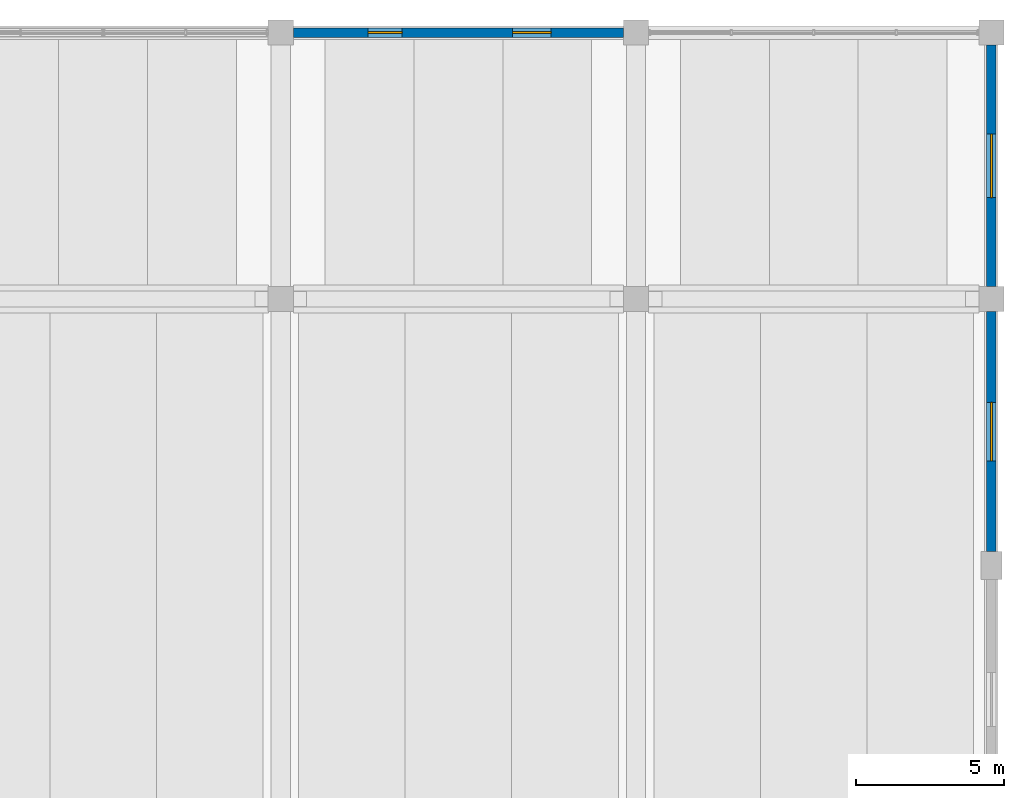
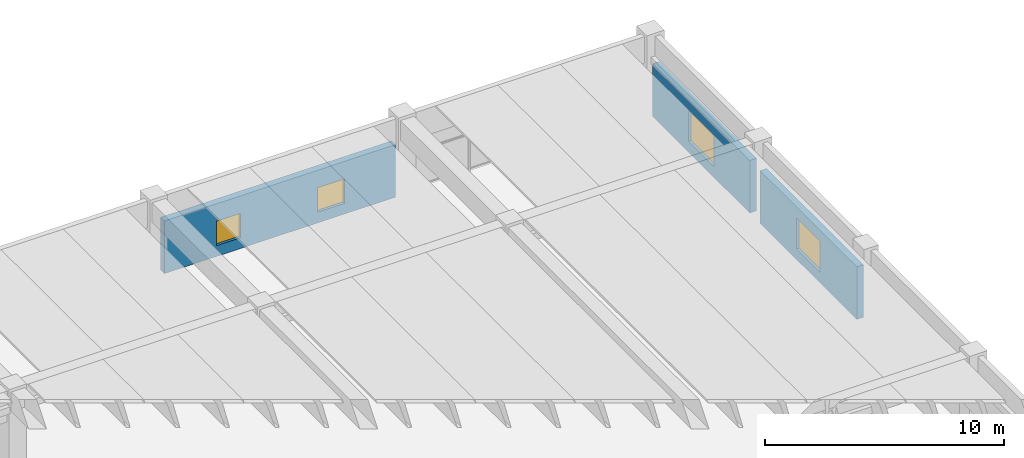
# One storey, part 40 of 50: 4 windows, 3 walls, 4 openings.
"""IFC4 building model written with IfcOpenShell, lengths in metres."""

from ifc_helpers import new_model, si_unit, direction, frame, frame_2d, origin, place, context, subcontext, project, spatial, rectangle, extrude, material, layer, layer_set, type_object, element, fill, save


model = new_model("IFC4")

# Units and contexts
model_context = context("Model", 3, precision=1e-05, world=origin(), true_north=direction((0.0, 1.0)))
body_context = subcontext(model_context, "Body", "Model", "MODEL_VIEW")
ifc_project = project(units=[si_unit("LENGTHUNIT", "METRE"), si_unit("AREAUNIT", "SQUARE_METRE"), si_unit("VOLUMEUNIT", "CUBIC_METRE"), si_unit("PLANEANGLEUNIT", "RADIAN"), si_unit("MASSUNIT", "GRAM", prefix="KILO")], contexts=[model_context])

# Site, building, storey
site_placement = place(None, origin())
site = spatial("IfcSite", under=ifc_project, at=site_placement, CompositionType="ELEMENT")
building_placement = place(site_placement, origin())
building = spatial("IfcBuilding", under=site, at=building_placement, Name="Girod Span Mobility Hub", CompositionType="ELEMENT")
storey_placement = place(building_placement, frame((0.0, 0.0, 5.39990234375)))
storey = spatial("IfcBuildingStorey", under=building, at=storey_placement, Name="L01", CompositionType="ELEMENT", Elevation=5.39990234375)

# Wall, openings, windows
ifc_material_1 = material(Name="Precast Architectural Concrete C40/50", Category="concrete")
ifc_layer = layer(ifc_material_1, 0.320068359375)
ifc_layer_set = layer_set([ifc_layer], Name="Precast Architectural Concrete C40/50")
wall_type = type_object("IfcWallType", Name="W-EXT-320", PredefinedType="SOLIDWALL", material=ifc_layer_set)
wall_1_placement = place(storey_placement, frame((144.423095703125, 114.0, 0.0), z_axis=(0.0, 0.0, 1.0), x_axis=(1.0, 0.0, 0.0)))
wall_1 = element("IfcWall", 1, at=wall_1_placement, inside=storey, type_object=wall_type, Name="Exterior Insulated Precast Wall N-13 L01", PredefinedType="SOLIDWALL", context=body_context, shape_type="SweptSolid", body=[
    extrude(rectangle(XDim=11.15380859375, YDim=0.320068359375, at=frame_2d((5.576904296875, 0.0))), origin(), (0.0, 0.0, 1.0), 2.690185546875),
])
opening_1_placement = place(wall_1_placement, frame((2.52490234375, 0.0, 0.550048828125)))
opening_1 = element("IfcOpeningElement", 2, at=opening_1_placement, cuts=wall_1, Name="Opening W-L01-N12A", PredefinedType="OPENING", context=body_context, shape_type="SweptSolid", body=[
    extrude(rectangle(XDim=1.14990234375, YDim=1.25, at=frame_2d((0.574951171875, 0.625))), frame((0.0, 0.175048828125, 0.0), z_axis=(0.0, -1.0, 0.0), x_axis=(1.0, 0.0, 0.0)), (0.0, 0.0, 1.0), 0.35009765625),
])
opening_2_placement = place(wall_1_placement, frame((7.404052734375, 0.0, 0.550048828125)))
opening_2 = element("IfcOpeningElement", 3, at=opening_2_placement, cuts=wall_1, Name="Opening W-L01-N12B", PredefinedType="OPENING", context=body_context, shape_type="SweptSolid", body=[
    extrude(rectangle(XDim=1.300048828125, YDim=1.25, at=frame_2d((0.64990234375, 0.625))), frame((0.0, 0.175048828125, 0.0), z_axis=(0.0, -1.0, 0.0), x_axis=(1.0, 0.0, 0.0)), (0.0, 0.0, 1.0), 0.35009765625),
])
ifc_material_2 = material(Name="Double Low-E Insulated Glazing", Category="glass")
window_type_1 = type_object("IfcWindowType", Name="WN-02", PartitioningType="SINGLE_PANEL", PredefinedType="WINDOW", material=ifc_material_2)
window_1_placement = place(opening_1_placement, origin())
window_1 = element("IfcWindow", 4, at=window_1_placement, inside=storey, type_object=window_type_1, Name="Gallery Window WN-02", OverallHeight=1.25, OverallWidth=1.14990234375, PartitioningType="SINGLE_PANEL", PredefinedType="WINDOW", context=body_context, shape_type="SweptSolid", body=[
    extrude(rectangle(XDim=1.14990234375, YDim=1.25, at=frame_2d((0.574951171875, 0.625))), frame((0.0, 0.030029296875, 0.0), z_axis=(0.0, -1.0, 0.0), x_axis=(1.0, 0.0, 0.0)), (0.0, 0.0, 1.0), 0.06005859375),
])
fill(opening_1, window_1)
ifc_material_3 = material(Name="Double Low-E Insulated Glazing", Category="glass")
window_type_2 = type_object("IfcWindowType", Name="WN-03", PartitioningType="SINGLE_PANEL", PredefinedType="WINDOW", material=ifc_material_3)
window_2_placement = place(opening_2_placement, origin())
window_2 = element("IfcWindow", 5, at=window_2_placement, inside=storey, type_object=window_type_2, Name="Gallery Window WN-03", OverallHeight=1.25, OverallWidth=1.300048828125, PartitioningType="SINGLE_PANEL", PredefinedType="WINDOW", context=body_context, shape_type="SweptSolid", body=[
    extrude(rectangle(XDim=1.300048828125, YDim=1.25, at=frame_2d((0.64990234375, 0.625))), frame((0.0, 0.030029296875, 0.0), z_axis=(0.0, -1.0, 0.0), x_axis=(1.0, 0.0, 0.0)), (0.0, 0.0, 1.0), 0.06005859375),
])
fill(opening_2, window_2)

# Wall, opening, window
wall_2_placement = place(storey_placement, frame((168.0, 96.472900390625, 0.0), z_axis=(0.0, 0.0, 1.0), x_axis=(0.0, 1.0, 0.0)))
wall_2 = element("IfcWall", 6, at=wall_2_placement, inside=storey, type_object=wall_type, Name="Side Exterior Wall E-G-2 L01", PredefinedType="SOLIDWALL", context=body_context, shape_type="SweptSolid", body=[
    extrude(rectangle(XDim=8.10400390625, YDim=0.320068359375, at=frame_2d((4.052001953125, 0.0))), origin(), (0.0, 0.0, 1.0), 2.690185546875),
])
opening_3_placement = place(wall_2_placement, frame((3.06201171875, 0.0, 0.550048828125)))
opening_3 = element("IfcOpeningElement", 7, at=opening_3_placement, cuts=wall_2, Name="Opening W-L01-E62", PredefinedType="OPENING", context=body_context, shape_type="SweptSolid", body=[
    extrude(rectangle(XDim=1.97998046875, YDim=1.580078125, at=frame_2d((0.989990234375, 0.7900390625))), frame((0.0, 0.175048828125, 0.0), z_axis=(0.0, -1.0, 0.0), x_axis=(1.0, 0.0, 0.0)), (0.0, 0.0, 1.0), 0.35009765625),
])
ifc_material_4 = material(Name="Double Low-E Insulated Glazing", Category="glass")
window_type_3 = type_object("IfcWindowType", Name="WN-26", PartitioningType="DOUBLE_PANEL_VERTICAL", PredefinedType="WINDOW", material=ifc_material_4)
window_3_placement = place(opening_3_placement, origin())
window_3 = element("IfcWindow", 8, at=window_3_placement, inside=storey, type_object=window_type_3, Name="Side Facade Window WN-26", OverallHeight=1.580078125, OverallWidth=1.97998046875, PartitioningType="DOUBLE_PANEL_VERTICAL", PredefinedType="WINDOW", context=body_context, shape_type="SweptSolid", body=[
    extrude(rectangle(XDim=1.97998046875, YDim=1.580078125, at=frame_2d((0.989990234375, 0.7900390625))), frame((0.0, 0.030029296875, 0.0), z_axis=(0.0, -1.0, 0.0), x_axis=(1.0, 0.0, 0.0)), (0.0, 0.0, 1.0), 0.06005859375),
])
fill(opening_3, window_3)

wall_3_placement = place(storey_placement, frame((168.0, 105.423095703125, 0.0), z_axis=(0.0, 0.0, 1.0), x_axis=(0.0, 1.0, 0.0)))
wall_3 = element("IfcWall", 9, at=wall_3_placement, inside=storey, type_object=wall_type, Name="Side Exterior Wall E-H-1 L01", PredefinedType="SOLIDWALL", context=body_context, shape_type="SweptSolid", body=[
    extrude(rectangle(XDim=8.15380859375, YDim=0.320068359375, at=frame_2d((4.076904296875, 0.0))), origin(), (0.0, 0.0, 1.0), 2.690185546875),
])
opening_4_placement = place(wall_3_placement, frame((3.007080078125, 0.0, 0.550048828125)))
opening_4 = element("IfcOpeningElement", 10, at=opening_4_placement, cuts=wall_3, Name="Opening W-L01-E71", PredefinedType="OPENING", context=body_context, shape_type="SweptSolid", body=[
    extrude(rectangle(XDim=2.139892578125, YDim=1.580078125, at=frame_2d((1.06982421875, 0.7900390625))), frame((0.0, 0.175048828125, 0.0), z_axis=(0.0, -1.0, 0.0), x_axis=(1.0, 0.0, 0.0)), (0.0, 0.0, 1.0), 0.35009765625),
])
ifc_material_5 = material(Name="Double Low-E Insulated Glazing", Category="glass")
window_type_4 = type_object("IfcWindowType", Name="WN-27", PartitioningType="DOUBLE_PANEL_VERTICAL", PredefinedType="WINDOW", material=ifc_material_5)
window_4_placement = place(opening_4_placement, origin())
window_4 = element("IfcWindow", 11, at=window_4_placement, inside=storey, type_object=window_type_4, Name="Side Facade Window WN-27", OverallHeight=1.580078125, OverallWidth=2.139892578125, PartitioningType="DOUBLE_PANEL_VERTICAL", PredefinedType="WINDOW", context=body_context, shape_type="SweptSolid", body=[
    extrude(rectangle(XDim=2.139892578125, YDim=1.580078125, at=frame_2d((1.06982421875, 0.7900390625))), frame((0.0, 0.030029296875, 0.0), z_axis=(0.0, -1.0, 0.0), x_axis=(1.0, 0.0, 0.0)), (0.0, 0.0, 1.0), 0.06005859375),
])
fill(opening_4, window_4)

save(model, "model.ifc")
